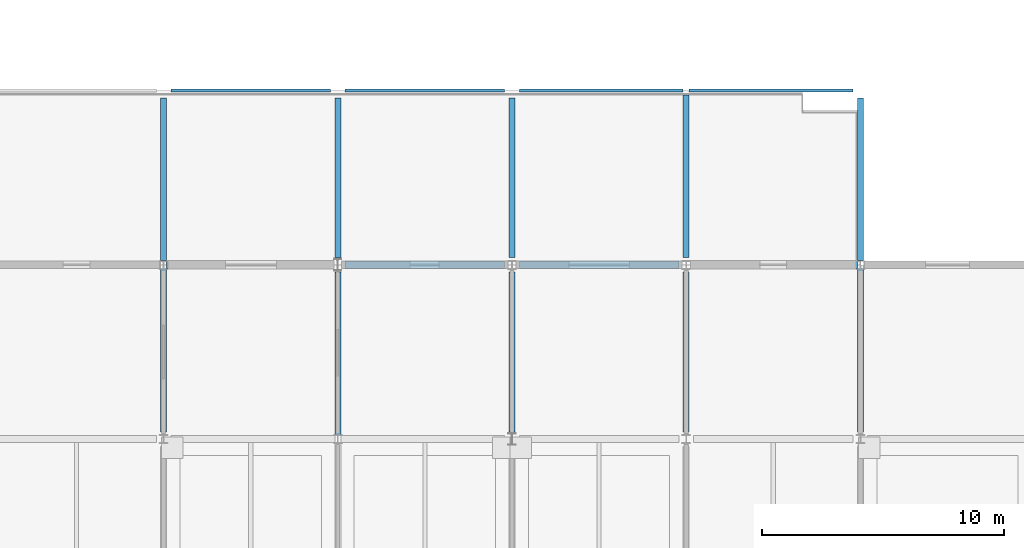
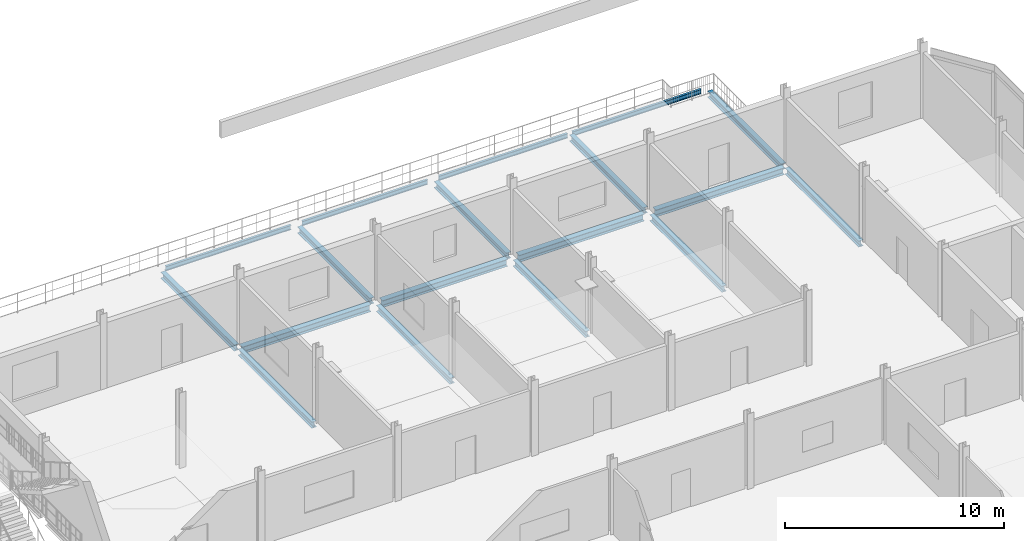
# One storey, part 15 of 26: 18 beams.
"""IFC4 building model written with IfcOpenShell, lengths in metres."""

from ifc_helpers import new_model, si_unit, direction, frame, origin, origin_2d, place, context, subcontext, project, spatial, i_section, extrude, material, material_profile, profile_set, type_object, element, save


model = new_model("IFC4")

# Units and contexts
model_context = context("Model", 3, precision=1e-05, world=origin(), true_north=direction((0.0, 1.0)))
body_context = subcontext(model_context, "Body", "Model", "MODEL_VIEW")
ifc_project = project(units=[si_unit("LENGTHUNIT", "METRE"), si_unit("AREAUNIT", "SQUARE_METRE"), si_unit("VOLUMEUNIT", "CUBIC_METRE"), si_unit("PLANEANGLEUNIT", "RADIAN"), si_unit("MASSUNIT", "GRAM", prefix="KILO")], contexts=[model_context])

# Site, building, storey
site_placement = place(None, origin())
site = spatial("IfcSite", under=ifc_project, at=site_placement, CompositionType="ELEMENT")
building_placement = place(site_placement, origin())
building = spatial("IfcBuilding", under=site, at=building_placement, Name="Vesperath Aquatics Centre", CompositionType="ELEMENT")
storey_placement = place(building_placement, frame((0.0, 0.0, 19.199951171875)))
storey = spatial("IfcBuildingStorey", under=building, at=storey_placement, Name="L04", CompositionType="ELEMENT", Elevation=19.199951171875)

# Beams
ifc_material = material(Name="Steel Q355C", Category="steel")
ifc_material_profile_1 = material_profile(ifc_material, i_section(OverallWidth=0.300048828125, OverallDepth=0.389892578125, WebThickness=0.010009765625, FlangeThickness=0.01611328125, FilletRadius=0.02197265625, at=origin_2d()), Name="HM 390x300x10x16")
ifc_profile_set_1 = profile_set([ifc_material_profile_1], Name="Steel Q355C")
beam_type_1 = type_object("IfcBeamType", Name="BM-G11", PredefinedType="BEAM", material=ifc_profile_set_1)
beam_1_placement = place(storey_placement, frame((136.925048828125, 36.0, -0.43505859375), z_axis=(1.0, 0.0, 0.0), x_axis=(0.0, 1.0, 0.0)))
element("IfcBeam", 1, at=beam_1_placement, inside=storey, type_object=beam_type_1, Name="Floor Girder B11 L04 F 20-21", PredefinedType="BEAM", context=body_context, shape_type="SweptSolid", body=[
    extrude(i_section(OverallWidth=0.300048828125, OverallDepth=0.389892578125, WebThickness=0.010009765625, FlangeThickness=0.01611328125, FilletRadius=0.02197265625, at=origin_2d()), origin(), (0.0, 0.0, 1.0), 6.77490234375),
])
beam_2_placement = place(storey_placement, frame((144.300048828125, 36.0, -0.43505859375), z_axis=(1.0, 0.0, 0.0), x_axis=(0.0, 1.0, 0.0)))
element("IfcBeam", 2, at=beam_2_placement, inside=storey, type_object=beam_type_1, Name="Floor Girder B11 L04 F 21-22", PredefinedType="BEAM", context=body_context, shape_type="SweptSolid", body=[
    extrude(i_section(OverallWidth=0.300048828125, OverallDepth=0.389892578125, WebThickness=0.010009765625, FlangeThickness=0.01611328125, FilletRadius=0.02197265625, at=origin_2d()), origin(), (0.0, 0.0, 1.0), 6.599853515625),
])
beam_3_placement = place(storey_placement, frame((151.5, 36.0, -0.43505859375), z_axis=(1.0, 0.0, 0.0), x_axis=(0.0, 1.0, 0.0)))
element("IfcBeam", 3, at=beam_3_placement, inside=storey, type_object=beam_type_1, Name="Floor Girder B11 L04 F 22-23", PredefinedType="BEAM", context=body_context, shape_type="SweptSolid", body=[
    extrude(i_section(OverallWidth=0.300048828125, OverallDepth=0.389892578125, WebThickness=0.010009765625, FlangeThickness=0.01611328125, FilletRadius=0.02197265625, at=origin_2d()), origin(), (0.0, 0.0, 1.0), 6.60009765625),
])
beam_4_placement = place(storey_placement, frame((158.699951171875, 36.0, -0.43505859375), z_axis=(1.0, 0.0, 0.0), x_axis=(0.0, 1.0, 0.0)))
element("IfcBeam", 4, at=beam_4_placement, inside=storey, type_object=beam_type_1, Name="Floor Girder B11 L04 F 23-24", PredefinedType="BEAM", context=body_context, shape_type="SweptSolid", body=[
    extrude(i_section(OverallWidth=0.300048828125, OverallDepth=0.389892578125, WebThickness=0.010009765625, FlangeThickness=0.01611328125, FilletRadius=0.02197265625, at=origin_2d()), origin(), (0.0, 0.0, 1.0), 6.775146484375),
])
ifc_material_profile_2 = material_profile(ifc_material, i_section(OverallWidth=0.25, OverallDepth=0.340087890625, WebThickness=0.009033203125, FlangeThickness=0.013916015625, FilletRadius=0.02001953125, at=origin_2d()), Name="HM 340x250x9x14")
ifc_profile_set_2 = profile_set([ifc_material_profile_2], Name="Steel Q355C")
beam_type_2 = type_object("IfcBeamType", Name="BM-G12", PredefinedType="BEAM", material=ifc_profile_set_2)
for number, where, z_axis, x_axis, name in (
    (5, (136.800048828125, 29.10009765625, -0.409912109375), (0.0, 1.0, 0.0), (-1.0, 0.0, 0.0), "Floor Girder B12 L04 20 E-F"),
    (6, (136.800048828125, 36.175048828125, -0.409912109375), (0.0, 1.0, 0.0), (-1.0, 0.0, 0.0), "Floor Girder B12 L04 20 F-G"),
    (7, (144.0, 28.97509765625, -0.409912109375), (0.0, 1.0, 0.0), (-1.0, 0.0, 0.0), "Floor Girder B12 L04 21 E-F"),
):
    element("IfcBeam", number, at=place(storey_placement, frame(where, z_axis=z_axis, x_axis=x_axis)), inside=storey, type_object=beam_type_2, Name=name, PredefinedType="BEAM", context=body_context, shape_type="SweptSolid", body=[
        extrude(i_section(OverallWidth=0.25, OverallDepth=0.340087890625, WebThickness=0.009033203125, FlangeThickness=0.013916015625, FilletRadius=0.02001953125, at=origin_2d()), origin(), (0.0, 0.0, 1.0), 6.724853515625),
    ])
for number, where, z_axis, x_axis, name in (
    (8, (144.0, 36.300048828125, -0.409912109375), (0.0, 1.0, 0.0), (-1.0, 0.0, 0.0), "Floor Girder B12 L04 21 F-G"),
    (9, (151.199951171875, 29.10009765625, -0.409912109375), (0.0, 1.0, 0.0), (-1.0, 0.0, 0.0), "Floor Girder B12 L04 22 E-F"),
    (10, (151.199951171875, 36.300048828125, -0.409912109375), (0.0, 1.0, 0.0), (-1.0, 0.0, 0.0), "Floor Girder B12 L04 22 F-G"),
    (11, (158.39990234375, 29.10009765625, -0.409912109375), (0.0, 1.0, 0.0), (-1.0, 0.0, 0.0), "Floor Girder B12 L04 23 E-F"),
):
    element("IfcBeam", number, at=place(storey_placement, frame(where, z_axis=z_axis, x_axis=x_axis)), inside=storey, type_object=beam_type_2, Name=name, PredefinedType="BEAM", context=body_context, shape_type="SweptSolid", body=[
        extrude(i_section(OverallWidth=0.25, OverallDepth=0.340087890625, WebThickness=0.009033203125, FlangeThickness=0.013916015625, FilletRadius=0.02001953125, at=origin_2d()), origin(), (0.0, 0.0, 1.0), 6.599853515625),
    ])
for number, where, z_axis, x_axis, name in (
    (12, (158.39990234375, 36.300048828125, -0.409912109375), (0.0, 1.0, 0.0), (-1.0, 0.0, 0.0), "Floor Girder B12 L04 23 F-G"),
    (13, (165.60009765625, 29.10009765625, -0.409912109375), (0.0, 1.0, 0.0), (-1.0, 0.0, 0.0), "Floor Girder B12 L04 24 E-F"),
    (14, (165.60009765625, 36.175048828125, -0.409912109375), (0.0, 1.0, 0.0), (-1.0, 0.0, 0.0), "Floor Girder B12 L04 24 F-G"),
):
    element("IfcBeam", number, at=place(storey_placement, frame(where, z_axis=z_axis, x_axis=x_axis)), inside=storey, type_object=beam_type_2, Name=name, PredefinedType="BEAM", context=body_context, shape_type="SweptSolid", body=[
        extrude(i_section(OverallWidth=0.25, OverallDepth=0.340087890625, WebThickness=0.009033203125, FlangeThickness=0.013916015625, FilletRadius=0.02001953125, at=origin_2d()), origin(), (0.0, 0.0, 1.0), 6.724853515625),
    ])
ifc_material_profile_3 = material_profile(ifc_material, i_section(OverallWidth=0.125, OverallDepth=0.25, WebThickness=0.006103515625, FlangeThickness=0.009033203125, FilletRadius=0.010009765625, at=origin_2d()), Name="HN 250x125x6x9")
ifc_profile_set_3 = profile_set([ifc_material_profile_3], Name="Steel Q355C")
beam_type_3 = type_object("IfcBeamType", Name="BM-LN01", PredefinedType="LINTEL", material=ifc_profile_set_3)
for number, where, z_axis, x_axis, name in (
    (15, (137.10009765625, 43.199951171875, -0.364990234375), (1.0, 0.0, 0.0), (0.0, 1.0, 0.0), "Floor Girder LN01 L04 G 20-21"),
    (16, (144.300048828125, 43.199951171875, -0.364990234375), (1.0, 0.0, 0.0), (0.0, 1.0, 0.0), "Floor Girder LN01 L04 G 21-22"),
):
    element("IfcBeam", number, at=place(storey_placement, frame(where, z_axis=z_axis, x_axis=x_axis)), inside=storey, type_object=beam_type_3, Name=name, PredefinedType="LINTEL", context=body_context, shape_type="SweptSolid", body=[
        extrude(i_section(OverallWidth=0.125, OverallDepth=0.25, WebThickness=0.006103515625, FlangeThickness=0.009033203125, FilletRadius=0.010009765625, at=origin_2d()), origin(), (0.0, 0.0, 1.0), 6.599853515625),
    ])
beam_5_placement = place(storey_placement, frame((151.5, 43.199951171875, -0.364990234375), z_axis=(1.0, 0.0, 0.0), x_axis=(0.0, 1.0, 0.0)))
element("IfcBeam", 17, at=beam_5_placement, inside=storey, type_object=beam_type_3, Name="Floor Girder LN01 L04 G 22-23", PredefinedType="LINTEL", context=body_context, shape_type="SweptSolid", body=[
    extrude(i_section(OverallWidth=0.125, OverallDepth=0.25, WebThickness=0.006103515625, FlangeThickness=0.009033203125, FilletRadius=0.010009765625, at=origin_2d()), origin(), (0.0, 0.0, 1.0), 6.77490234375),
])
beam_6_placement = place(storey_placement, frame((158.52490234375, 43.199951171875, -0.364990234375), z_axis=(1.0, 0.0, 0.0), x_axis=(0.0, 1.0, 0.0)))
element("IfcBeam", 18, at=beam_6_placement, inside=storey, type_object=beam_type_3, Name="Floor Girder LN01 L04 G 23-24", PredefinedType="LINTEL", context=body_context, shape_type="SweptSolid", body=[
    extrude(i_section(OverallWidth=0.125, OverallDepth=0.25, WebThickness=0.006103515625, FlangeThickness=0.009033203125, FilletRadius=0.010009765625, at=origin_2d()), origin(), (0.0, 0.0, 1.0), 6.775146484375),
])

save(model, "model.ifc")
